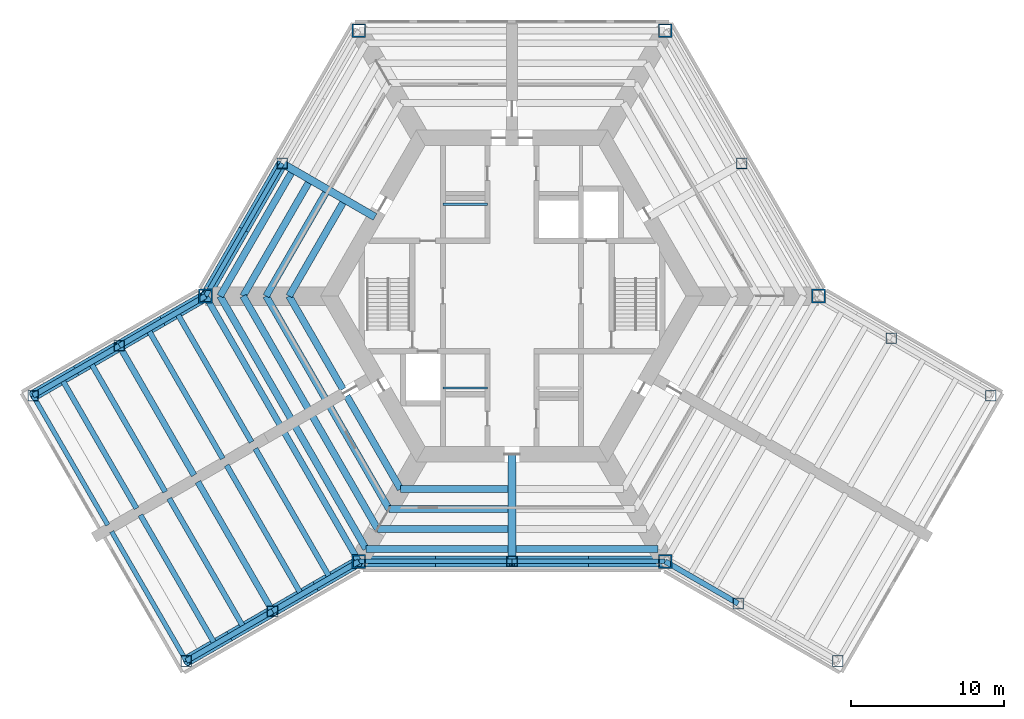
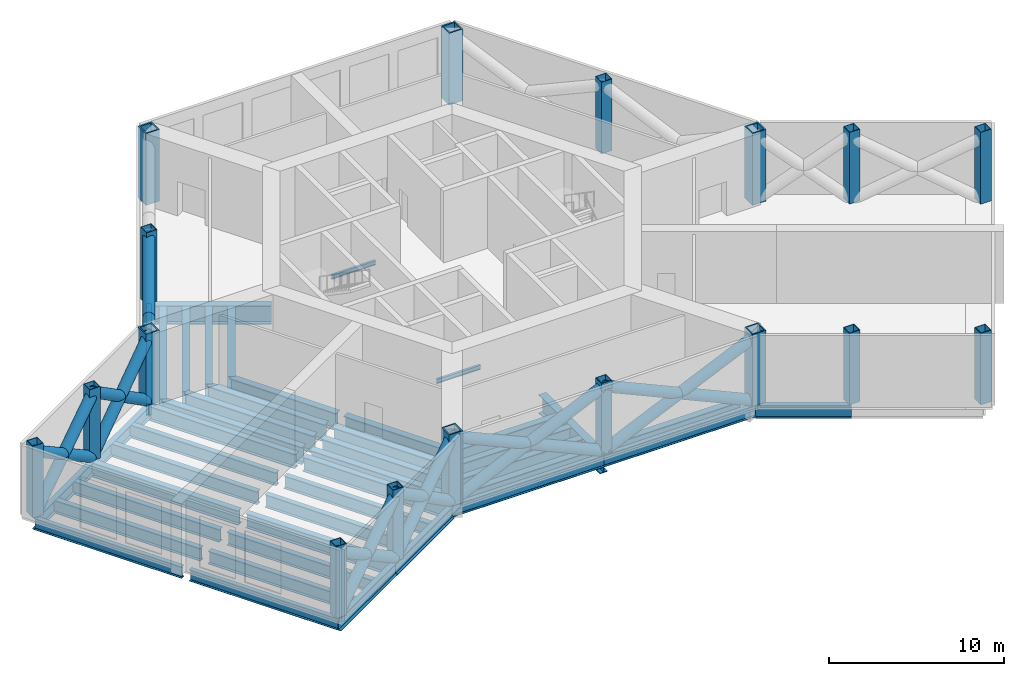
# One storey, part 1 of 8: 43 beams, 17 columns, 14 members.
"""IFC4 building model written with IfcOpenShell, lengths in metres."""

import ifcopenshell
import ifcopenshell.guid

model = None  # the IFC model being written
_history = None  # IfcOwnerHistory: only IFC2X3 demands one
_inside = {}  # id of a spatial element -> (the spatial element, [elements in it])
_under = {}  # id of a project, library or spatial element -> (it, [spatial elements below it])
_declared = {}  # id of a project -> (the project, [libraries it declares])
_typed = {}  # id of a type object -> (the type object, [elements of that type])
_made_of = {}  # id of a material, layer set ... -> (it, [elements and type objects made of it])


def new_model(schema):
    """Start an empty IFC model of exactly this schema.

    Asked for "IFC4X3", IfcOpenShell would pick the latest addendum, in which some entities
    have other attributes; the version numbers below select the first issue.
    IFC2X3 requires an IfcOwnerHistory on every rooted entity: one is made here for all.
    """
    global model, _history
    if schema == "IFC4X3":
        model = ifcopenshell.file(schema_version=(4, 3, 0, 0))
    else:
        model = ifcopenshell.file(schema=schema)
    _inside.clear()
    _under.clear()
    _declared.clear()
    _typed.clear()
    _made_of.clear()
    _history = None
    if model.schema == "IFC2X3":
        org = make("IfcOrganization", Name="unknown")
        user = make(
            "IfcPersonAndOrganization",
            ThePerson=make("IfcPerson", FamilyName="unknown"),
            TheOrganization=org,
        )
        app = make(
            "IfcApplication",
            ApplicationDeveloper=org,
            Version="unknown",
            ApplicationFullName="unknown",
            ApplicationIdentifier="unknown",
        )
        _history = make(
            "IfcOwnerHistory",
            OwningUser=user,
            OwningApplication=app,
            ChangeAction="ADDED",
            CreationDate=0,
        )
    return model


def make(cls, **values):
    """One entity of the class cls with the attributes given. An attribute that is None is left unset."""
    return model.create_entity(
        cls, **{name: value for name, value in values.items() if value is not None}
    )


def rooted(cls, **values):
    """An entity with a GlobalId (a new one), such as an element, a storey or a relation."""
    return make(cls, GlobalId=ifcopenshell.guid.new(), OwnerHistory=_history, **values)


def si_unit(unit_type, name, prefix=None):
    """IfcSIUnit, for example si_unit("LENGTHUNIT", "METRE", prefix="MILLI")."""
    return make("IfcSIUnit", UnitType=unit_type, Prefix=prefix, Name=name)


def assignment(units):
    """IfcUnitAssignment: the units of a project."""
    return None if units is None else make("IfcUnitAssignment", Units=units)


def point(xyz):
    """IfcCartesianPoint."""
    return None if xyz is None else make("IfcCartesianPoint", Coordinates=xyz)


def direction(xyz):
    """IfcDirection."""
    return None if xyz is None else make("IfcDirection", DirectionRatios=xyz)


def frame(location, z_axis=None, x_axis=None):
    """IfcAxis2Placement3D, a coordinate frame: its origin and axes. An axis left out is left unset."""
    return make(
        "IfcAxis2Placement3D",
        Location=point(location),
        Axis=direction(z_axis),
        RefDirection=direction(x_axis),
    )


def frame_2d(location, x_axis=None):
    """IfcAxis2Placement2D, a coordinate frame in the plane: its origin and x axis."""
    return make(
        "IfcAxis2Placement2D", Location=point(location), RefDirection=direction(x_axis)
    )


def origin():
    """The frame at (0, 0, 0) with its axes left unset."""
    return frame((0.0, 0.0, 0.0))


def origin_2d():
    """The frame at (0, 0) in the plane with its x axis left unset."""
    return frame_2d((0.0, 0.0))


def place(relative_to, where):
    """IfcLocalPlacement: puts the frame where relative to a parent placement (None: the world)."""
    return make(
        "IfcLocalPlacement", PlacementRelTo=relative_to, RelativePlacement=where
    )


def context(
    kind, dimensions, precision=None, world=None, true_north=None, identifier=None
):
    """IfcGeometricRepresentationContext, for example the 3D "Model" context."""
    return make(
        "IfcGeometricRepresentationContext",
        ContextIdentifier=identifier,
        ContextType=kind,
        CoordinateSpaceDimension=dimensions,
        Precision=precision,
        WorldCoordinateSystem=world,
        TrueNorth=true_north,
    )


def subcontext(parent, identifier, kind, view, scale=None):
    """IfcGeometricRepresentationSubContext, for example "Body" below "Model"."""
    return make(
        "IfcGeometricRepresentationSubContext",
        ContextIdentifier=identifier,
        ContextType=kind,
        ParentContext=parent,
        TargetScale=scale,
        TargetView=view,
    )


def project(units=None, contexts=None):
    """IfcProject with its units and contexts."""
    return rooted(
        "IfcProject",
        Name="project",
        RepresentationContexts=contexts,
        UnitsInContext=assignment(units),
    )


def spatial(cls, under=None, at=None, **own):
    """A site, building, storey or space (cls), placed at a placement, below another one or the project."""
    s = rooted(cls, ObjectPlacement=at, **own)
    if under is not None:
        _under.setdefault(under.id(), (under, []))[1].append(s)
    return s


def profile(cls, at=None, kind="AREA", **sizes):
    """A parametric profile (cls). Its sizes go by their IFC names, for example OverallWidth=200.0."""
    return make(cls, ProfileType=kind, Position=at, **sizes)


def hollow_rectangle(**sizes):
    """IfcRectangleHollowProfileDef."""
    return profile("IfcRectangleHollowProfileDef", **sizes)


def hollow_circle(**sizes):
    """IfcCircleHollowProfileDef."""
    return profile("IfcCircleHollowProfileDef", **sizes)


def i_section(**sizes):
    """IfcIShapeProfileDef."""
    return profile("IfcIShapeProfileDef", **sizes)


def extrude(swept, where, along, depth):
    """IfcExtrudedAreaSolid: the profile swept, set in the frame where, extruded along a direction by depth."""
    return make(
        "IfcExtrudedAreaSolid",
        SweptArea=swept,
        Position=where,
        ExtrudedDirection=direction(along),
        Depth=depth,
    )


def shape(context_of_items, identifier, shape_type, items):
    """IfcShapeRepresentation: the items that make up one representation, for example the "Body"."""
    return make(
        "IfcShapeRepresentation",
        ContextOfItems=context_of_items,
        RepresentationIdentifier=identifier,
        RepresentationType=shape_type,
        Items=items,
    )


def material(Name=None, Category=None):
    """IfcMaterial."""
    return make("IfcMaterial", Name=Name, Category=Category)


def material_profile(
    of_material, cross_section, Name=None, Category=None, Priority=None
):
    """IfcMaterialProfile: a cross section and its material."""
    return make(
        "IfcMaterialProfile",
        Name=Name,
        Material=of_material,
        Profile=cross_section,
        Priority=Priority,
        Category=Category,
    )


def profile_set(profiles, Name=None, composite=None):
    """IfcMaterialProfileSet."""
    return make(
        "IfcMaterialProfileSet",
        Name=Name,
        MaterialProfiles=profiles,
        CompositeProfile=composite,
    )


def made_of(thing, what):
    """Note that an element or type object is made of a material, layer set ...; save() writes the relation."""
    if what is not None:
        _made_of.setdefault(what.id(), (what, []))[1].append(thing)
    return thing


def type_object(cls, material=None, **own):
    """A type object (cls), such as IfcWallType, which elements share."""
    return made_of(rooted(cls, **own), material)


def element(
    cls,
    number,
    at=None,
    inside=None,
    cuts=None,
    type_object=None,
    material=None,
    context=None,
    identifier="Body",
    shape_type=None,
    held_by="IfcProductDefinitionShape",
    body=None,
    shapes=None,
    **own,
):
    """One element of the class cls, such as IfcWall. Its Tag is "e" and its number.

    at: its placement. inside: the storey or other place that contains it. cuts: it is an
    opening in that element (IfcRelVoidsElement). A single representation is given by context,
    identifier, shape_type and body (its items); several are given by shapes. held_by: the class
    of the entity that holds the representations. save() writes the other relations.
    """
    e = rooted(cls, Tag="e%d" % number, ObjectPlacement=at, **own)
    if body is not None:
        shapes = [shape(context, identifier, shape_type, body)]
    if shapes is not None:
        e.Representation = make(held_by, Representations=shapes)
    if inside is not None:
        _inside.setdefault(inside.id(), (inside, []))[1].append(e)
    if cuts is not None:
        rooted(
            "IfcRelVoidsElement", RelatingBuildingElement=cuts, RelatedOpeningElement=e
        )
    if type_object is not None:
        _typed.setdefault(type_object.id(), (type_object, []))[1].append(e)
    return made_of(e, material)


def aggregate(whole, parts):
    """IfcRelAggregates: a whole, such as a stair, and the parts it consists of."""
    return rooted("IfcRelAggregates", RelatingObject=whole, RelatedObjects=parts)


def save(model, path):
    """Write the relations noted so far, then the file.

    IfcRelAggregates (storeys below a building ...), IfcRelContainedInSpatialStructure (elements
    in a storey), IfcRelDefinesByType, IfcRelAssociatesMaterial and IfcRelDeclares: one each for
    every whole, place, type object, material and project.
    """
    for whole, parts in _under.values():
        aggregate(whole, parts)
    for where, things in _inside.values():
        rooted(
            "IfcRelContainedInSpatialStructure",
            RelatedElements=things,
            RelatingStructure=where,
        )
    for kind, things in _typed.values():
        rooted("IfcRelDefinesByType", RelatedObjects=things, RelatingType=kind)
    for what, things in _made_of.values():
        rooted("IfcRelAssociatesMaterial", RelatedObjects=things, RelatingMaterial=what)
    for by, libraries in _declared.values():
        rooted("IfcRelDeclares", RelatingContext=by, RelatedDefinitions=libraries)
    model.write(path)


model = new_model("IFC4")

# Units and contexts
model_context = context("Model", 3, precision=1e-05, world=origin(), true_north=direction((0.0, 1.0)))
body_context = subcontext(model_context, "Body", "Model", "MODEL_VIEW")
ifc_project = project(units=[si_unit("LENGTHUNIT", "METRE"), si_unit("AREAUNIT", "SQUARE_METRE"), si_unit("VOLUMEUNIT", "CUBIC_METRE"), si_unit("PLANEANGLEUNIT", "RADIAN"), si_unit("MASSUNIT", "GRAM", prefix="KILO")], contexts=[model_context])

# Site, building, storey
site_placement = place(None, origin())
site = spatial("IfcSite", under=ifc_project, at=site_placement, CompositionType="ELEMENT")
building_placement = place(site_placement, origin())
building = spatial("IfcBuilding", under=site, at=building_placement, Name="Kasaneha Research Tower", CompositionType="ELEMENT")
storey_placement = place(building_placement, frame((0.0, 0.0, 203.300048828125)))
storey = spatial("IfcBuildingStorey", under=building, at=storey_placement, Name="L51", CompositionType="ELEMENT", Elevation=203.300048828125)

# Columns
ifc_material_1 = material(Name="Steel SN490C", Category="steel")
ifc_material_profile_1 = material_profile(ifc_material_1, hollow_rectangle(XDim=0.699951171875, YDim=0.699951171875, WallThickness=0.035888671875, at=origin_2d()), Name="BOX-700x700x36")
ifc_profile_set_1 = profile_set([ifc_material_profile_1], Name="Steel SN490C")
column_type_1 = type_object("IfcColumnType", Name="C3B column BOX-700x700x36", PredefinedType="COLUMN", material=ifc_profile_set_1)
for number, where, z_axis, x_axis, name in (
    (1, (15.0, 8.66015625, 0.0), (0.0, 0.0, 1.0), (1.0, 0.0, 0.0), "Column M030 L51"),
    (2, (-15.0, 8.66015625, 0.0), (0.0, 0.0, 1.0), (1.0, 0.0, 0.0), "Column M150 L51"),
    (3, (0.0, -17.320556640625, 0.0), (0.0, 0.0, 1.0), (1.0, 0.0, 0.0), "Column M270 L51"),
    (4, (-25.629150390625, -3.25, 0.0), (0.0, 0.0, 1.0), (1.0, 0.0, 0.0), "Column BSP L51"),
    (5, (-31.25830078125, -6.5, 0.0), (0.0, 0.0, 1.0), (1.0, 0.0, 0.0), "Column BTP L51"),
    (6, (-15.629150390625, -20.570556640625, 0.0), (0.0, 0.0, 1.0), (1.0, 0.0, 0.0), "Column BSN L51"),
    (7, (-21.25830078125, -23.820556640625, 0.0), (0.0, 0.0, 1.0), (1.0, 0.0, 0.0), "Column BTN L51"),
    (8, (14.76318359375, -20.070556640625, 0.0), (0.0, 0.0, 1.0), (1.0, 0.0, 0.0), "Column CSP L51"),
    (9, (21.25830078125, -23.820556640625, 0.0), (0.0, 0.0, 1.0), (1.0, 0.0, 0.0), "Column CTP L51"),
    (10, (24.76318359375, -2.75, 0.0), (0.0, 0.0, 1.0), (1.0, 0.0, 0.0), "Column CSN L51"),
    (11, (31.25830078125, -6.5, 0.0), (0.0, 0.0, 1.0), (1.0, 0.0, 0.0), "Column CTN L51"),
):
    element("IfcColumn", number, at=place(storey_placement, frame(where, z_axis=z_axis, x_axis=x_axis)), inside=storey, type_object=column_type_1, Name=name, PredefinedType="COLUMN", context=body_context, shape_type="SweptSolid", body=[
        extrude(hollow_rectangle(XDim=0.699951171875, YDim=0.699951171875, WallThickness=0.035888671875, at=origin_2d()), origin(), (0.0, 0.0, 1.0), 5.0),
    ])
ifc_material_2 = material(Name="Steel SN490C", Category="steel")
ifc_material_profile_2 = material_profile(ifc_material_2, hollow_rectangle(XDim=0.89990234375, YDim=0.89990234375, WallThickness=0.090087890625, at=origin_2d()), Name="BOX-900x900x90")
ifc_profile_set_2 = profile_set([ifc_material_profile_2], Name="Steel SN490C")
column_type_2 = type_object("IfcColumnType", Name="CT2 column BOX-900x900x90", PredefinedType="COLUMN", material=ifc_profile_set_2)
for number, where, z_axis, x_axis, name in (
    (12, (20.0, 0.0, 0.0), (0.0, 0.0, 1.0), (1.0, 0.0, 0.0), "Column V0 L51"),
    (13, (10.0, 17.320556640625, 0.0), (0.0, 0.0, 1.0), (1.0, 0.0, 0.0), "Column V1 L51"),
    (14, (-10.0, 17.320556640625, 0.0), (0.0, 0.0, 1.0), (1.0, 0.0, 0.0), "Column V2 L51"),
    (15, (-20.0, 0.0, 0.0), (0.0, 0.0, 1.0), (1.0, 0.0, 0.0), "Column V3 L51"),
    (16, (-10.0, -17.320556640625, 0.0), (0.0, 0.0, 1.0), (1.0, 0.0, 0.0), "Column V4 L51"),
    (17, (10.0, -17.320556640625, 0.0), (0.0, 0.0, 1.0), (1.0, 0.0, 0.0), "Column V5 L51"),
):
    element("IfcColumn", number, at=place(storey_placement, frame(where, z_axis=z_axis, x_axis=x_axis)), inside=storey, type_object=column_type_2, Name=name, PredefinedType="COLUMN", context=body_context, shape_type="SweptSolid", body=[
        extrude(hollow_rectangle(XDim=0.89990234375, YDim=0.89990234375, WallThickness=0.090087890625, at=origin_2d()), origin(), (0.0, 0.0, 1.0), 5.0),
    ])

# Beams
ifc_material_3 = material(Name="Steel SN490B", Category="steel")
ifc_material_profile_3 = material_profile(ifc_material_3, i_section(OverallWidth=0.449951171875, OverallDepth=1.199951171875, WebThickness=0.02197265625, FlangeThickness=0.0400390625, at=origin_2d()), Name="BH-1200x450x22x40")
ifc_profile_set_3 = profile_set([ifc_material_profile_3], Name="Steel SN490B")
beam_type_1 = type_object("IfcBeamType", Name="B1-5 secondary beam BH-1200x450x22x40", PredefinedType="JOIST", material=ifc_profile_set_3)
beam_1_placement = place(storey_placement, frame((-14.54931640625, 0.0, -0.85009765625), z_axis=(0.500015274395, 0.866016584929, 0.0), x_axis=(-0.866016584929, 0.500015274395, 0.0)))
element("IfcBeam", 18, at=beam_1_placement, inside=storey, type_object=beam_type_1, Name="Secondary beam RS150R1 L51", PredefinedType="JOIST", context=body_context, shape_type="SweptSolid", body=[
    extrude(i_section(OverallWidth=0.449951171875, OverallDepth=1.199951171875, WebThickness=0.02197265625, FlangeThickness=0.0400390625, at=origin_2d()), origin(), (0.0, 0.0, 1.0), 7.024658203125),
])
beam_2_placement = place(storey_placement, frame((-16.05029296875, 0.0, -0.85009765625), z_axis=(0.499992453835, 0.866029760521, 0.0), x_axis=(-0.866029760521, 0.499992453835, 0.0)))
element("IfcBeam", 19, at=beam_2_placement, inside=storey, type_object=beam_type_1, Name="Secondary beam RS150R2 L51", PredefinedType="JOIST", context=body_context, shape_type="SweptSolid", body=[
    extrude(i_section(OverallWidth=0.449951171875, OverallDepth=1.199951171875, WebThickness=0.02197265625, FlangeThickness=0.0400390625, at=origin_2d()), origin(), (0.0, 0.0, 1.0), 7.77490234375),
])
beam_3_placement = place(storey_placement, frame((-17.551513671875, 0.0, -0.85009765625), z_axis=(0.500004205306, 0.866022975836, 0.0), x_axis=(-0.866022975836, 0.500004205306, 0.0)))
element("IfcBeam", 20, at=beam_3_placement, inside=storey, type_object=beam_type_1, Name="Secondary beam RS150R3 L51", PredefinedType="JOIST", context=body_context, shape_type="SweptSolid", body=[
    extrude(i_section(OverallWidth=0.449951171875, OverallDepth=1.199951171875, WebThickness=0.02197265625, FlangeThickness=0.0400390625, at=origin_2d()), origin(), (0.0, 0.0, 1.0), 8.52587890625),
])
beam_4_placement = place(storey_placement, frame((-19.052490234375, 0.0, -0.85009765625), z_axis=(0.500005712346, 0.866022105735, 0.0), x_axis=(-0.866022105735, 0.500005712346, 0.0)))
element("IfcBeam", 21, at=beam_4_placement, inside=storey, type_object=beam_type_1, Name="Secondary beam RS150R4 L51", PredefinedType="JOIST", context=body_context, shape_type="SweptSolid", body=[
    extrude(i_section(OverallWidth=0.449951171875, OverallDepth=1.199951171875, WebThickness=0.02197265625, FlangeThickness=0.0400390625, at=origin_2d()), origin(), (0.0, 0.0, 1.0), 9.2763671875),
])
beam_5_placement = place(storey_placement, frame((-14.54931640625, 0.0, -0.85009765625), z_axis=(0.500015274395, -0.866016584929, 0.0), x_axis=(0.866016584929, 0.500015274395, 0.0)))
element("IfcBeam", 22, at=beam_5_placement, inside=storey, type_object=beam_type_1, Name="Secondary beam RS210L1 L51", PredefinedType="JOIST", context=body_context, shape_type="SweptSolid", body=[
    extrude(i_section(OverallWidth=0.449951171875, OverallDepth=1.199951171875, WebThickness=0.02197265625, FlangeThickness=0.0400390625, at=origin_2d()), origin(), (0.0, 0.0, 1.0), 7.024658203125),
])
beam_6_placement = place(storey_placement, frame((-16.05029296875, 0.0, -0.85009765625), z_axis=(0.499992453835, -0.866029760521, 0.0), x_axis=(0.866029760521, 0.499992453835, 0.0)))
element("IfcBeam", 23, at=beam_6_placement, inside=storey, type_object=beam_type_1, Name="Secondary beam RS210L2 L51", PredefinedType="JOIST", context=body_context, shape_type="SweptSolid", body=[
    extrude(i_section(OverallWidth=0.449951171875, OverallDepth=1.199951171875, WebThickness=0.02197265625, FlangeThickness=0.0400390625, at=origin_2d()), origin(), (0.0, 0.0, 1.0), 7.77490234375),
])
beam_7_placement = place(storey_placement, frame((-17.551513671875, 0.0, -0.85009765625), z_axis=(0.500004205306, -0.866022975836, 0.0), x_axis=(0.866022975836, 0.500004205306, 0.0)))
element("IfcBeam", 24, at=beam_7_placement, inside=storey, type_object=beam_type_1, Name="Secondary beam RS210L3 L51", PredefinedType="JOIST", context=body_context, shape_type="SweptSolid", body=[
    extrude(i_section(OverallWidth=0.449951171875, OverallDepth=1.199951171875, WebThickness=0.02197265625, FlangeThickness=0.0400390625, at=origin_2d()), origin(), (0.0, 0.0, 1.0), 8.52587890625),
])
beam_8_placement = place(storey_placement, frame((-19.052490234375, 0.0, -0.85009765625), z_axis=(0.500005712346, -0.866022105735, 0.0), x_axis=(0.866022105735, 0.500005712346, 0.0)))
element("IfcBeam", 25, at=beam_8_placement, inside=storey, type_object=beam_type_1, Name="Secondary beam RS210L4 L51", PredefinedType="JOIST", context=body_context, shape_type="SweptSolid", body=[
    extrude(i_section(OverallWidth=0.449951171875, OverallDepth=1.199951171875, WebThickness=0.02197265625, FlangeThickness=0.0400390625, at=origin_2d()), origin(), (0.0, 0.0, 1.0), 9.2763671875),
])
beam_9_placement = place(storey_placement, frame((-7.274658203125, -12.60009765625, -0.85009765625), z_axis=(-0.499989208252, 0.866031634313, 0.0), x_axis=(-0.866031634313, -0.499989208252, 0.0)))
element("IfcBeam", 26, at=beam_9_placement, inside=storey, type_object=beam_type_1, Name="Secondary beam RS210R1 L51", PredefinedType="JOIST", context=body_context, shape_type="SweptSolid", body=[
    extrude(i_section(OverallWidth=0.449951171875, OverallDepth=1.199951171875, WebThickness=0.02197265625, FlangeThickness=0.0400390625, at=origin_2d()), origin(), (0.0, 0.0, 1.0), 7.024658203125),
])
beam_10_placement = place(storey_placement, frame((-8.025146484375, -13.89990234375, -0.85009765625), z_axis=(-0.500016004, 0.866016163673, 0.0), x_axis=(-0.866016163673, -0.500016004, 0.0)))
element("IfcBeam", 27, at=beam_10_placement, inside=storey, type_object=beam_type_1, Name="Secondary beam RS210R2 L51", PredefinedType="JOIST", context=body_context, shape_type="SweptSolid", body=[
    extrude(i_section(OverallWidth=0.449951171875, OverallDepth=1.199951171875, WebThickness=0.02197265625, FlangeThickness=0.0400390625, at=origin_2d()), origin(), (0.0, 0.0, 1.0), 7.775146484375),
])
beam_11_placement = place(storey_placement, frame((-8.775634765625, -15.199951171875, -0.85009765625), z_axis=(-0.500004205306, 0.866022975836, 0.0), x_axis=(-0.866022975836, -0.500004205306, 0.0)))
element("IfcBeam", 28, at=beam_11_placement, inside=storey, type_object=beam_type_1, Name="Secondary beam RS210R3 L51", PredefinedType="JOIST", context=body_context, shape_type="SweptSolid", body=[
    extrude(i_section(OverallWidth=0.449951171875, OverallDepth=1.199951171875, WebThickness=0.02197265625, FlangeThickness=0.0400390625, at=origin_2d()), origin(), (0.0, 0.0, 1.0), 8.52587890625),
])
beam_12_placement = place(storey_placement, frame((-9.5263671875, -16.5, -0.85009765625), z_axis=(-0.499985972961, 0.866033502147, 0.0), x_axis=(-0.866033502147, -0.499985972961, 0.0)))
element("IfcBeam", 29, at=beam_12_placement, inside=storey, type_object=beam_type_1, Name="Secondary beam RS210R4 L51", PredefinedType="JOIST", context=body_context, shape_type="SweptSolid", body=[
    extrude(i_section(OverallWidth=0.449951171875, OverallDepth=1.199951171875, WebThickness=0.02197265625, FlangeThickness=0.0400390625, at=origin_2d()), origin(), (0.0, 0.0, 1.0), 9.276123046875),
])
beam_13_placement = place(storey_placement, frame((-7.274658203125, -12.60009765625, -0.85009765625), z_axis=(1.0, 0.0, 0.0), x_axis=(0.0, 1.0, 0.0)))
element("IfcBeam", 30, at=beam_13_placement, inside=storey, type_object=beam_type_1, Name="Secondary beam RS270L1 L51", PredefinedType="JOIST", context=body_context, shape_type="SweptSolid", body=[
    extrude(i_section(OverallWidth=0.449951171875, OverallDepth=1.199951171875, WebThickness=0.02197265625, FlangeThickness=0.0400390625, at=origin_2d()), origin(), (0.0, 0.0, 1.0), 7.024658203125),
])
beam_14_placement = place(storey_placement, frame((-8.025146484375, -13.89990234375, -0.85009765625), z_axis=(1.0, 0.0, 0.0), x_axis=(0.0, 1.0, 0.0)))
element("IfcBeam", 31, at=beam_14_placement, inside=storey, type_object=beam_type_1, Name="Secondary beam RS270L2 L51", PredefinedType="JOIST", context=body_context, shape_type="SweptSolid", body=[
    extrude(i_section(OverallWidth=0.449951171875, OverallDepth=1.199951171875, WebThickness=0.02197265625, FlangeThickness=0.0400390625, at=origin_2d()), origin(), (0.0, 0.0, 1.0), 7.775146484375),
])
beam_15_placement = place(storey_placement, frame((-8.775634765625, -15.199951171875, -0.85009765625), z_axis=(1.0, 0.0, 0.0), x_axis=(0.0, 1.0, 0.0)))
element("IfcBeam", 32, at=beam_15_placement, inside=storey, type_object=beam_type_1, Name="Secondary beam RS270L3 L51", PredefinedType="JOIST", context=body_context, shape_type="SweptSolid", body=[
    extrude(i_section(OverallWidth=0.449951171875, OverallDepth=1.199951171875, WebThickness=0.02197265625, FlangeThickness=0.0400390625, at=origin_2d()), origin(), (0.0, 0.0, 1.0), 8.525634765625),
])
for number, where, z_axis, x_axis, name in (
    (33, (-9.5263671875, -16.5, -0.85009765625), (1.0, 0.0, 0.0), (0.0, 1.0, 0.0), "Secondary beam RS270L4 L51"),
    (34, (9.5263671875, -16.5, -0.85009765625), (-1.0, 0.0, 0.0), (0.0, -1.0, 0.0), "Secondary beam RS270R4 L51"),
):
    element("IfcBeam", number, at=place(storey_placement, frame(where, z_axis=z_axis, x_axis=x_axis)), inside=storey, type_object=beam_type_1, Name=name, PredefinedType="JOIST", context=body_context, shape_type="SweptSolid", body=[
        extrude(i_section(OverallWidth=0.449951171875, OverallDepth=1.199951171875, WebThickness=0.02197265625, FlangeThickness=0.0400390625, at=origin_2d()), origin(), (0.0, 0.0, 1.0), 9.2763671875),
    ])
ifc_material_4 = material(Name="Steel SN490B", Category="steel")
ifc_material_profile_4 = material_profile(ifc_material_4, i_section(OverallWidth=0.35009765625, OverallDepth=0.89990234375, WebThickness=0.01611328125, FlangeThickness=0.031982421875, at=origin_2d()), Name="BH-900x350x16x32")
ifc_profile_set_4 = profile_set([ifc_material_profile_4], Name="Steel SN490B")
beam_type_2 = type_object("IfcBeamType", Name="B2-5 secondary beam BH-900x350x16x32", PredefinedType="JOIST", material=ifc_profile_set_4)
beam_16_placement = place(storey_placement, frame((-21.87646484375, -1.083251953125, -0.699951171875), z_axis=(0.499995560238, -0.866027967067, 0.0), x_axis=(0.866027967067, 0.499995560238, 0.0)))
element("IfcBeam", 35, at=beam_16_placement, inside=storey, type_object=beam_type_2, Name="Secondary beam WBBP1 L51", PredefinedType="JOIST", context=body_context, shape_type="SweptSolid", body=[
    extrude(i_section(OverallWidth=0.35009765625, OverallDepth=0.89990234375, WebThickness=0.01611328125, FlangeThickness=0.031982421875, at=origin_2d()), origin(), (0.0, 0.0, 1.0), 9.75),
])
beam_17_placement = place(storey_placement, frame((-23.752685546875, -2.166748046875, -0.699951171875), z_axis=(0.500006402939, -0.866021707014, 0.0), x_axis=(0.866021707014, 0.500006402939, 0.0)))
element("IfcBeam", 36, at=beam_17_placement, inside=storey, type_object=beam_type_2, Name="Secondary beam WBBP2 L51", PredefinedType="JOIST", context=body_context, shape_type="SweptSolid", body=[
    extrude(i_section(OverallWidth=0.35009765625, OverallDepth=0.89990234375, WebThickness=0.01611328125, FlangeThickness=0.031982421875, at=origin_2d()), origin(), (0.0, 0.0, 1.0), 9.749755859375),
])
beam_18_placement = place(storey_placement, frame((-27.505615234375, -4.333251953125, -0.699951171875), z_axis=(0.499995560238, -0.866027967067, 0.0), x_axis=(0.866027967067, 0.499995560238, 0.0)))
element("IfcBeam", 37, at=beam_18_placement, inside=storey, type_object=beam_type_2, Name="Secondary beam WBBP3 L51", PredefinedType="JOIST", context=body_context, shape_type="SweptSolid", body=[
    extrude(i_section(OverallWidth=0.35009765625, OverallDepth=0.89990234375, WebThickness=0.01611328125, FlangeThickness=0.031982421875, at=origin_2d()), origin(), (0.0, 0.0, 1.0), 9.75),
])
for number, where, z_axis, x_axis, name in (
    (38, (-29.3818359375, -5.416748046875, -0.699951171875), (0.500006402939, -0.866021707014, 0.0), (0.866021707014, 0.500006402939, 0.0), "Secondary beam WBBP4 L51"),
    (39, (-11.87646484375, -18.40380859375, -0.699951171875), (-0.500006402939, 0.866021707014, 0.0), (-0.866021707014, -0.500006402939, 0.0), "Secondary beam WBBN1 L51"),
    (40, (-13.752685546875, -19.487060546875, -0.699951171875), (-0.500006402939, 0.866021707014, 0.0), (-0.866021707014, -0.500006402939, 0.0), "Secondary beam WBBN2 L51"),
    (41, (-17.505615234375, -21.65380859375, -0.699951171875), (-0.500006402939, 0.866021707014, 0.0), (-0.866021707014, -0.500006402939, 0.0), "Secondary beam WBBN3 L51"),
    (42, (-19.3818359375, -22.737060546875, -0.699951171875), (-0.500006402939, 0.866021707014, 0.0), (-0.866021707014, -0.500006402939, 0.0), "Secondary beam WBBN4 L51"),
):
    element("IfcBeam", number, at=place(storey_placement, frame(where, z_axis=z_axis, x_axis=x_axis)), inside=storey, type_object=beam_type_2, Name=name, PredefinedType="JOIST", context=body_context, shape_type="SweptSolid", body=[
        extrude(i_section(OverallWidth=0.35009765625, OverallDepth=0.89990234375, WebThickness=0.01611328125, FlangeThickness=0.031982421875, at=origin_2d()), origin(), (0.0, 0.0, 1.0), 9.749755859375),
    ])
ifc_material_5 = material(Name="Steel SN490B", Category="steel")
ifc_material_profile_5 = material_profile(ifc_material_5, i_section(OverallWidth=0.35009765625, OverallDepth=0.89990234375, WebThickness=0.01611328125, FlangeThickness=0.031982421875, at=origin_2d()), Name="BH-900x350x16x32")
ifc_profile_set_5 = profile_set([ifc_material_profile_5], Name="Steel SN490B")
beam_type_3 = type_object("IfcBeamType", Name="BC1-5 belt chord BH-900x350x16x32", PredefinedType="BEAM", material=ifc_profile_set_5)
for number, where, z_axis, x_axis, name in (
    (43, (-20.0, 0.0, -0.699951171875), (-0.866024837091, -0.50000098154, 0.0), (0.50000098154, -0.866024837091, 0.0), "Belt chord WSBP1 L51"),
    (44, (-10.0, -17.320556640625, -0.699951171875), (-0.866024837091, -0.50000098154, 0.0), (0.50000098154, -0.866024837091, 0.0), "Belt chord WSBN1 L51"),
):
    element("IfcBeam", number, at=place(storey_placement, frame(where, z_axis=z_axis, x_axis=x_axis)), inside=storey, type_object=beam_type_3, Name=name, PredefinedType="BEAM", context=body_context, shape_type="SweptSolid", body=[
        extrude(i_section(OverallWidth=0.35009765625, OverallDepth=0.89990234375, WebThickness=0.01611328125, FlangeThickness=0.031982421875, at=origin_2d()), origin(), (0.0, 0.0, 1.0), 6.5),
    ])
beam_19_placement = place(storey_placement, frame((10.0, -17.320556640625, -0.699951171875), z_axis=(0.866027397988, -0.499996545922, 0.0), x_axis=(0.499996545922, 0.866027397988, 0.0)))
element("IfcBeam", 45, at=beam_19_placement, inside=storey, type_object=beam_type_3, Name="Belt chord WSCP1 L51", PredefinedType="BEAM", context=body_context, shape_type="SweptSolid", body=[
    extrude(i_section(OverallWidth=0.35009765625, OverallDepth=0.89990234375, WebThickness=0.01611328125, FlangeThickness=0.031982421875, at=origin_2d()), origin(), (0.0, 0.0, 1.0), 5.5),
])

# Members
ifc_material_6 = material(Name="Steel STKN490B", Category="steel")
ifc_material_profile_6 = material_profile(ifc_material_6, hollow_circle(Radius=0.355712890625, WallThickness=0.031982421875, at=origin_2d()), Name="CHS-711.2x32.0")
ifc_profile_set_6 = profile_set([ifc_material_profile_6], Name="Steel STKN490B")
member_type = type_object("IfcMemberType", Name="BT3 belt truss diagonal CHS-711.2x32.0", PredefinedType="BRACE", material=ifc_profile_set_6)
for number, where, z_axis, x_axis, name in (
    (46, (-31.1552734375, -6.440673828125, 0.09130859375), (0.720333952906, 0.415906535478, 0.555104269518), (-0.500019416524, 0.866014193359, 0.0), "Belt truss diagonal 1a L51"),
    (47, (-25.732177734375, -3.309326171875, 0.09130859375), (-0.720333952906, -0.415906535478, 0.555104269518), (0.500019416524, -0.866014193359, 0.0), "Belt truss diagonal 1b L51"),
):
    element("IfcMember", number, at=place(storey_placement, frame(where, z_axis=z_axis, x_axis=x_axis)), inside=storey, type_object=member_type, Name=name, PredefinedType="BRACE", context=body_context, shape_type="SweptSolid", body=[
        extrude(hollow_circle(Radius=0.355712890625, WallThickness=0.031982421875, at=origin_2d()), origin(), (0.0, 0.0, 1.0), 7.671630859375),
    ])
for number, where, z_axis, x_axis, name in (
    (48, (-25.526123046875, -3.190673828125, 0.09130859375), (0.70990651674, 0.409875572048, 0.57274318235), (-0.500009930168, 0.866019670524, 0.0), "Belt truss diagonal 2a L51"),
    (49, (-20.10302734375, -0.059326171875, 0.09130859375), (-0.70990651674, -0.409875572048, 0.57274318235), (0.500009930168, -0.866019670524, 0.0), "Belt truss diagonal 2b L51"),
):
    element("IfcMember", number, at=place(storey_placement, frame(where, z_axis=z_axis, x_axis=x_axis)), inside=storey, type_object=member_type, Name=name, PredefinedType="BRACE", context=body_context, shape_type="SweptSolid", body=[
        extrude(hollow_circle(Radius=0.355712890625, WallThickness=0.031982421875, at=origin_2d()), origin(), (0.0, 0.0, 1.0), 7.71240234375),
    ])
member_placement = place(storey_placement, frame((-19.932861328125, 0.1162109375, 0.067138671875), z_axis=(0.456047152237, 0.789897462228, 0.409979260576), x_axis=(-0.866025574794, 0.499999703803, 0.0)))
element("IfcMember", 50, at=member_placement, inside=storey, type_object=member_type, Name="Belt truss diagonal 3a L51", PredefinedType="BRACE", context=body_context, shape_type="SweptSolid", body=[
    extrude(hollow_circle(Radius=0.355712890625, WallThickness=0.031982421875, at=origin_2d()), origin(), (0.0, 0.0, 1.0), 10.7529296875),
])
for number, where, z_axis, x_axis, name in (
    (51, (-15.067138671875, 8.5439453125, 0.067138671875), (-0.456055331274, -0.789888923613, 0.409986613403), (0.866019351364, -0.500010482954, 0.0), "Belt truss diagonal 3b L51"),
    (52, (9.86572265625, -17.320556640625, 0.067138671875), (-0.912090937571, 0.0, 0.409987952994), (0.0, -1.0, 0.0), "Belt truss diagonal 11a L51"),
    (53, (0.13427734375, -17.320556640625, 0.067138671875), (0.912090937571, 0.0, 0.409987952994), (0.0, 1.0, 0.0), "Belt truss diagonal 11b L51"),
    (54, (-0.13427734375, -17.320556640625, 0.067138671875), (-0.912090937571, 0.0, 0.409987952994), (0.0, -1.0, 0.0), "Belt truss diagonal 12a L51"),
    (55, (-9.86572265625, -17.320556640625, 0.067138671875), (0.912090937571, 0.0, 0.409987952994), (0.0, 1.0, 0.0), "Belt truss diagonal 12b L51"),
):
    element("IfcMember", number, at=place(storey_placement, frame(where, z_axis=z_axis, x_axis=x_axis)), inside=storey, type_object=member_type, Name=name, PredefinedType="BRACE", context=body_context, shape_type="SweptSolid", body=[
        extrude(hollow_circle(Radius=0.355712890625, WallThickness=0.031982421875, at=origin_2d()), origin(), (0.0, 0.0, 1.0), 10.752685546875),
    ])
for number, where, z_axis, x_axis, name in (
    (56, (-10.10302734375, -17.3798828125, 0.09130859375), (-0.70990651674, -0.409875572048, 0.57274318235), (0.500009930168, -0.866019670524, 0.0), "Belt truss diagonal 13a L51"),
    (57, (-15.526123046875, -20.510986328125, 0.09130859375), (0.709915727474, 0.409849234086, 0.572750613448), (-0.499980967135, 0.866036392135, 0.0), "Belt truss diagonal 13b L51"),
):
    element("IfcMember", number, at=place(storey_placement, frame(where, z_axis=z_axis, x_axis=x_axis)), inside=storey, type_object=member_type, Name=name, PredefinedType="BRACE", context=body_context, shape_type="SweptSolid", body=[
        extrude(hollow_circle(Radius=0.355712890625, WallThickness=0.031982421875, at=origin_2d()), origin(), (0.0, 0.0, 1.0), 7.71240234375),
    ])
for number, where, z_axis, x_axis, name in (
    (58, (-15.732177734375, -20.6298828125, 0.09130859375), (-0.720333952906, -0.415906535478, 0.555104269518), (0.500019416524, -0.866014193359, 0.0), "Belt truss diagonal 14a L51"),
    (59, (-21.1552734375, -23.760986328125, 0.09130859375), (0.720343486904, 0.415880215898, 0.555111616614), (-0.499990721473, 0.866030760678, 0.0), "Belt truss diagonal 14b L51"),
):
    element("IfcMember", number, at=place(storey_placement, frame(where, z_axis=z_axis, x_axis=x_axis)), inside=storey, type_object=member_type, Name=name, PredefinedType="BRACE", context=body_context, shape_type="SweptSolid", body=[
        extrude(hollow_circle(Radius=0.355712890625, WallThickness=0.031982421875, at=origin_2d()), origin(), (0.0, 0.0, 1.0), 7.671630859375),
    ])

# Beams
ifc_material_7 = material(Name="Steel SN490B", Category="steel")
ifc_material_profile_7 = material_profile(ifc_material_7, i_section(OverallWidth=0.5, OverallDepth=1.300048828125, WebThickness=0.02197265625, FlangeThickness=0.044921875, at=origin_2d()), Name="BH-1300x500x22x45")
ifc_profile_set_7 = profile_set([ifc_material_profile_7], Name="Steel SN490B")
beam_type_4 = type_object("IfcBeamType", Name="G2-5 radial girder BH-1300x500x22x45", PredefinedType="BEAM", material=ifc_profile_set_7)
beam_20_placement = place(storey_placement, frame((-8.941650390625, 5.16259765625, -0.900146484375), z_axis=(-0.866039713508, 0.499975214012, 0.0), x_axis=(-0.499975214012, -0.866039713508, 0.0)))
element("IfcBeam", 60, at=beam_20_placement, inside=storey, type_object=beam_type_4, Name="Radial girder RM150 L51", PredefinedType="BEAM", context=body_context, shape_type="SweptSolid", body=[
    extrude(i_section(OverallWidth=0.5, OverallDepth=1.300048828125, WebThickness=0.02197265625, FlangeThickness=0.044921875, at=origin_2d()), origin(), (0.0, 0.0, 1.0), 6.995361328125),
])
beam_21_placement = place(storey_placement, frame((0.0, -10.324951171875, -0.900146484375), z_axis=(0.0, -1.0, 0.0), x_axis=(1.0, 0.0, 0.0)))
element("IfcBeam", 61, at=beam_21_placement, inside=storey, type_object=beam_type_4, Name="Radial girder RM270 L51", PredefinedType="BEAM", context=body_context, shape_type="SweptSolid", body=[
    extrude(i_section(OverallWidth=0.5, OverallDepth=1.300048828125, WebThickness=0.02197265625, FlangeThickness=0.044921875, at=origin_2d()), origin(), (0.0, 0.0, 1.0), 6.99560546875),
])
ifc_material_8 = material(Name="Steel SN490B", Category="steel")
ifc_material_profile_8 = material_profile(ifc_material_8, i_section(OverallWidth=0.39990234375, OverallDepth=1.0, WebThickness=0.01904296875, FlangeThickness=0.035888671875, at=origin_2d()), Name="BH-1000x400x19x36")
ifc_profile_set_8 = profile_set([ifc_material_profile_8], Name="Steel SN490B")
beam_type_5 = type_object("IfcBeamType", Name="G3-5 plate edge girder BH-1000x400x19x36", PredefinedType="BEAM", material=ifc_profile_set_8)
for number, where, z_axis, x_axis, name in (
    (62, (-20.0, 0.0, -0.75), (0.499995560238, -0.866027967067, 0.0), (0.866027967067, 0.499995560238, 0.0), "Plate edge girder PEBP L51"),
    (63, (-10.0, -17.320556640625, -0.75), (-0.499995560238, 0.866027967067, 0.0), (-0.866027967067, -0.499995560238, 0.0), "Plate edge girder PEBN L51"),
):
    element("IfcBeam", number, at=place(storey_placement, frame(where, z_axis=z_axis, x_axis=x_axis)), inside=storey, type_object=beam_type_5, Name=name, PredefinedType="BEAM", context=body_context, shape_type="SweptSolid", body=[
        extrude(i_section(OverallWidth=0.39990234375, OverallDepth=1.0, WebThickness=0.01904296875, FlangeThickness=0.035888671875, at=origin_2d()), origin(), (0.0, 0.0, 1.0), 9.75),
    ])
ifc_material_9 = material(Name="Steel SN490B", Category="steel")
ifc_material_profile_9 = material_profile(ifc_material_9, i_section(OverallWidth=0.39990234375, OverallDepth=1.0, WebThickness=0.01904296875, FlangeThickness=0.035888671875, at=origin_2d()), Name="BH-1000x400x19x36")
ifc_profile_set_9 = profile_set([ifc_material_profile_9], Name="Steel SN490B")
beam_type_6 = type_object("IfcBeamType", Name="G4-5 wing girder BH-1000x400x19x36", PredefinedType="BEAM", material=ifc_profile_set_9)
for number, where, z_axis, x_axis, name in (
    (64, (-25.629150390625, -3.25, -0.75), (0.499995560238, -0.866027967067, 0.0), (0.866027967067, 0.499995560238, 0.0), "Wing girder WGBP L51"),
    (65, (-15.629150390625, -20.570556640625, -0.75), (-0.499995560238, 0.866027967067, 0.0), (-0.866027967067, -0.499995560238, 0.0), "Wing girder WGBN L51"),
):
    element("IfcBeam", number, at=place(storey_placement, frame(where, z_axis=z_axis, x_axis=x_axis)), inside=storey, type_object=beam_type_6, Name=name, PredefinedType="BEAM", context=body_context, shape_type="SweptSolid", body=[
        extrude(i_section(OverallWidth=0.39990234375, OverallDepth=1.0, WebThickness=0.01904296875, FlangeThickness=0.035888671875, at=origin_2d()), origin(), (0.0, 0.0, 1.0), 9.75),
    ])
ifc_material_10 = material(Name="Steel SN490B", Category="steel")
ifc_material_profile_10 = material_profile(ifc_material_10, i_section(OverallWidth=0.14990234375, OverallDepth=0.300048828125, WebThickness=0.006591796875, FlangeThickness=0.009033203125, FilletRadius=0.012939453125, at=origin_2d()), Name="H-300x150x6.5x9")
ifc_profile_set_10 = profile_set([ifc_material_profile_10], Name="Steel SN490B")
beam_type_7 = type_object("IfcBeamType", Name="HB1 lift hoist beam H-300x150x6.5x9", PredefinedType="BEAM", material=ifc_profile_set_10)
for number, where, z_axis, x_axis, name in (
    (66, (-4.5, 6.0, -0.449951171875), (1.0, 0.0, 0.0), (0.0, 1.0, 0.0), "Lift hoist beam LM1"),
    (67, (-4.5, -6.0, -0.449951171875), (1.0, 0.0, 0.0), (0.0, 1.0, 0.0), "Lift hoist beam LM3"),
):
    element("IfcBeam", number, at=place(storey_placement, frame(where, z_axis=z_axis, x_axis=x_axis)), inside=storey, type_object=beam_type_7, Name=name, PredefinedType="BEAM", context=body_context, shape_type="SweptSolid", body=[
        extrude(i_section(OverallWidth=0.14990234375, OverallDepth=0.300048828125, WebThickness=0.006591796875, FlangeThickness=0.009033203125, FilletRadius=0.012939453125, at=origin_2d()), origin(), (0.0, 0.0, 1.0), 2.89990234375),
    ])
ifc_material_11 = material(Name="Steel SN490B", Category="steel")
ifc_material_profile_11 = material_profile(ifc_material_11, i_section(OverallWidth=0.300048828125, OverallDepth=0.800048828125, WebThickness=0.013916015625, FlangeThickness=0.02587890625, FilletRadius=0.01806640625, at=origin_2d()), Name="H-800x300x14x26")
ifc_profile_set_11 = profile_set([ifc_material_profile_11], Name="Steel SN490B")
beam_type_8 = type_object("IfcBeamType", Name="SB1-5 spandrel beam H-800x300x14x26", PredefinedType="SPANDREL", material=ifc_profile_set_11)
for number, where, z_axis, x_axis, name in (
    (68, (-20.0, 0.0, -0.650146484375), (0.500004234368, 0.866022959057, 0.0), (-0.866022959057, 0.500004234368, 0.0), "Spandrel beam SR150R L51"),
    (69, (-10.0, -17.320556640625, -0.650146484375), (1.0, 0.0, 0.0), (0.0, 1.0, 0.0), "Spandrel beam SR270L L51"),
    (70, (10.0, -17.320556640625, -0.650146484375), (-1.0, 0.0, 0.0), (0.0, -1.0, 0.0), "Spandrel beam SR270R L51"),
):
    element("IfcBeam", number, at=place(storey_placement, frame(where, z_axis=z_axis, x_axis=x_axis)), inside=storey, type_object=beam_type_8, Name=name, PredefinedType="SPANDREL", context=body_context, shape_type="SweptSolid", body=[
        extrude(i_section(OverallWidth=0.300048828125, OverallDepth=0.800048828125, WebThickness=0.013916015625, FlangeThickness=0.02587890625, FilletRadius=0.01806640625, at=origin_2d()), origin(), (0.0, 0.0, 1.0), 10.0),
    ])
ifc_material_12 = material(Name="Steel SN490B", Category="steel")
ifc_material_profile_12 = material_profile(ifc_material_12, i_section(OverallWidth=0.35009765625, OverallDepth=0.89990234375, WebThickness=0.01611328125, FlangeThickness=0.031982421875, at=origin_2d()), Name="BH-900x350x16x32")
ifc_profile_set_12 = profile_set([ifc_material_profile_12], Name="Steel SN490B")
beam_type_9 = type_object("IfcBeamType", Name="SB2-5 spandrel beam BH-900x350x16x32", PredefinedType="SPANDREL", material=ifc_profile_set_12)
for number, where, z_axis, x_axis, name in (
    (71, (-25.629150390625, -3.25, -0.699951171875), (-0.866024837091, -0.50000098154, 0.0), (0.50000098154, -0.866024837091, 0.0), "Spandrel beam WSBP2 L51"),
    (72, (-15.629150390625, -20.570556640625, -0.699951171875), (-0.866024837091, -0.50000098154, 0.0), (0.50000098154, -0.866024837091, 0.0), "Spandrel beam WSBN2 L51"),
):
    element("IfcBeam", number, at=place(storey_placement, frame(where, z_axis=z_axis, x_axis=x_axis)), inside=storey, type_object=beam_type_9, Name=name, PredefinedType="SPANDREL", context=body_context, shape_type="SweptSolid", body=[
        extrude(i_section(OverallWidth=0.35009765625, OverallDepth=0.89990234375, WebThickness=0.01611328125, FlangeThickness=0.031982421875, at=origin_2d()), origin(), (0.0, 0.0, 1.0), 6.5),
    ])
ifc_material_13 = material(Name="Steel SN490B", Category="steel")
ifc_material_profile_13 = material_profile(ifc_material_13, i_section(OverallWidth=0.300048828125, OverallDepth=0.7919921875, WebThickness=0.013916015625, FlangeThickness=0.02197265625, FilletRadius=0.01806640625, at=origin_2d()), Name="H-792x300x14x22")
ifc_profile_set_13 = profile_set([ifc_material_profile_13], Name="Steel SN490B")
beam_type_10 = type_object("IfcBeamType", Name="SB3-5 spandrel beam H-792x300x14x22", PredefinedType="SPANDREL", material=ifc_profile_set_13)
for number, where, z_axis, x_axis, name in (
    (73, (-31.25830078125, -6.5, -0.64599609375), (0.499995560238, -0.866027967067, 0.0), (0.866027967067, 0.499995560238, 0.0), "Spandrel beam WTBP L51"),
    (74, (-21.25830078125, -23.820556640625, -0.64599609375), (-0.499995560238, 0.866027967067, 0.0), (-0.866027967067, -0.499995560238, 0.0), "Spandrel beam WTBN L51"),
):
    element("IfcBeam", number, at=place(storey_placement, frame(where, z_axis=z_axis, x_axis=x_axis)), inside=storey, type_object=beam_type_10, Name=name, PredefinedType="SPANDREL", context=body_context, shape_type="SweptSolid", body=[
        extrude(i_section(OverallWidth=0.300048828125, OverallDepth=0.7919921875, WebThickness=0.013916015625, FlangeThickness=0.02197265625, FilletRadius=0.01806640625, at=origin_2d()), origin(), (0.0, 0.0, 1.0), 9.75),
    ])

save(model, "model.ifc")
